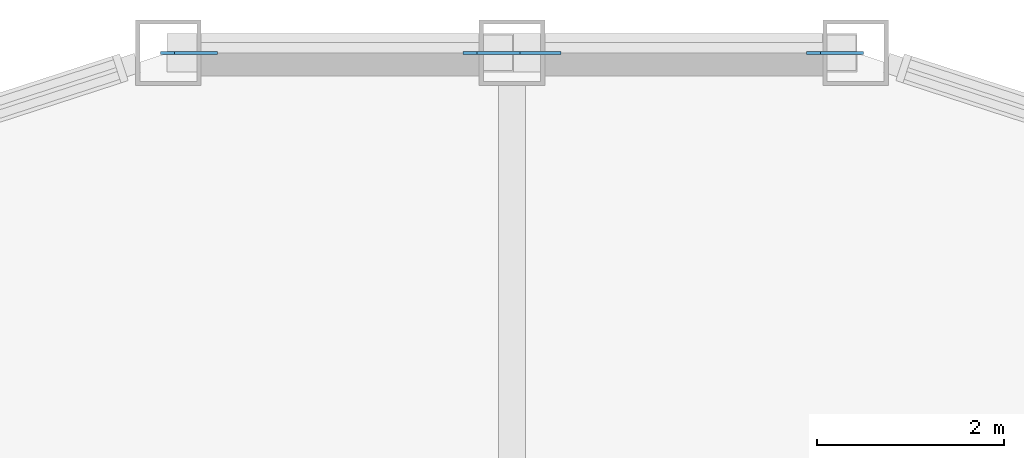
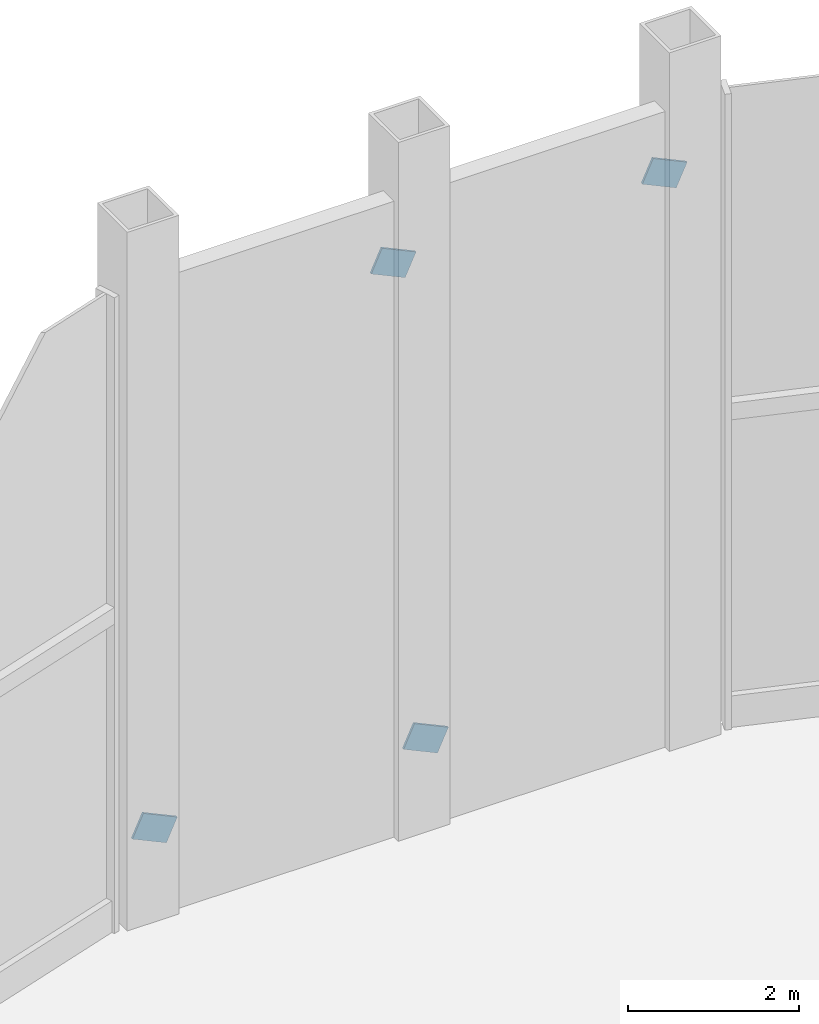
# One storey, part 13 of 17: 4 discrete accessories.
"""IFC4 building model written with IfcOpenShell, lengths in metres."""

from ifc_helpers import new_model, si_unit, direction, frame, origin, origin_2d, place, context, subcontext, project, spatial, rectangle, extrude, material, material_profile, profile_set, type_object, element, save


model = new_model("IFC4")

# Units and contexts
model_context = context("Model", 3, precision=1e-05, world=origin(), true_north=direction((0.0, 1.0)))
body_context = subcontext(model_context, "Body", "Model", "MODEL_VIEW")
ifc_project = project(units=[si_unit("LENGTHUNIT", "METRE"), si_unit("AREAUNIT", "SQUARE_METRE"), si_unit("VOLUMEUNIT", "CUBIC_METRE"), si_unit("PLANEANGLEUNIT", "RADIAN"), si_unit("MASSUNIT", "GRAM", prefix="KILO")], contexts=[model_context])

# Site, building, storey
site_placement = place(None, origin())
site = spatial("IfcSite", under=ifc_project, at=site_placement, CompositionType="ELEMENT")
building_placement = place(site_placement, origin())
building = spatial("IfcBuilding", under=site, at=building_placement, Name="Cormorant Prow Tower", CompositionType="ELEMENT")
storey_placement = place(building_placement, frame((0.0, 0.0, 277.800048828125)))
storey = spatial("IfcBuildingStorey", under=building, at=storey_placement, Name="L63", CompositionType="ELEMENT", Elevation=277.800048828125)

# Discrete accessories
ifc_material = material(Name="Structural steel ASTM A500 Gr C", Category="steel")
ifc_material_profile = material_profile(ifc_material, rectangle(XDim=0.031982421875, YDim=0.506103515625, at=origin_2d()), Name="Gusset plate 32x506")
ifc_profile_set = profile_set([ifc_material_profile], Name="Structural steel ASTM A500 Gr C")
discrete_accessory_type = type_object("IfcDiscreteAccessoryType", Name="Gusset plate 32x506", PredefinedType="BRACKET", material=ifc_profile_set)
for number, where, z_axis, x_axis, name in (
    (1, (0.292724609375, 32.073486328125, 1.230224609375), (-0.421357248379, 0.0, -0.906894739889), (0.0, -1.0, 0.0), "Gusset plate GP2 L63.N00.g0"),
    (2, (3.377685546875, 32.073486328125, 7.87060546875), (0.421357248379, 0.0, 0.906894739889), (0.0, 1.0, 0.0), "Gusset plate GP2 L63.N00.g1"),
    (3, (-3.377685546875, 32.073486328125, 1.230224609375), (-0.421357248379, 0.0, -0.906894739889), (0.0, -1.0, 0.0), "Gusset plate GP2 L63.N01.g0"),
    (4, (-0.292724609375, 32.073486328125, 7.87060546875), (0.421357248379, 0.0, 0.906894739889), (0.0, 1.0, 0.0), "Gusset plate GP2 L63.N01.g1"),
):
    element("IfcDiscreteAccessory", number, at=place(storey_placement, frame(where, z_axis=z_axis, x_axis=x_axis)), inside=storey, type_object=discrete_accessory_type, Name=name, PredefinedType="BRACKET", context=body_context, shape_type="SweptSolid", body=[
        extrude(rectangle(XDim=0.031982421875, YDim=0.506103515625, at=origin_2d()), origin(), (0.0, 0.0, 1.0), 0.349853515625),
    ])

save(model, "model.ifc")
